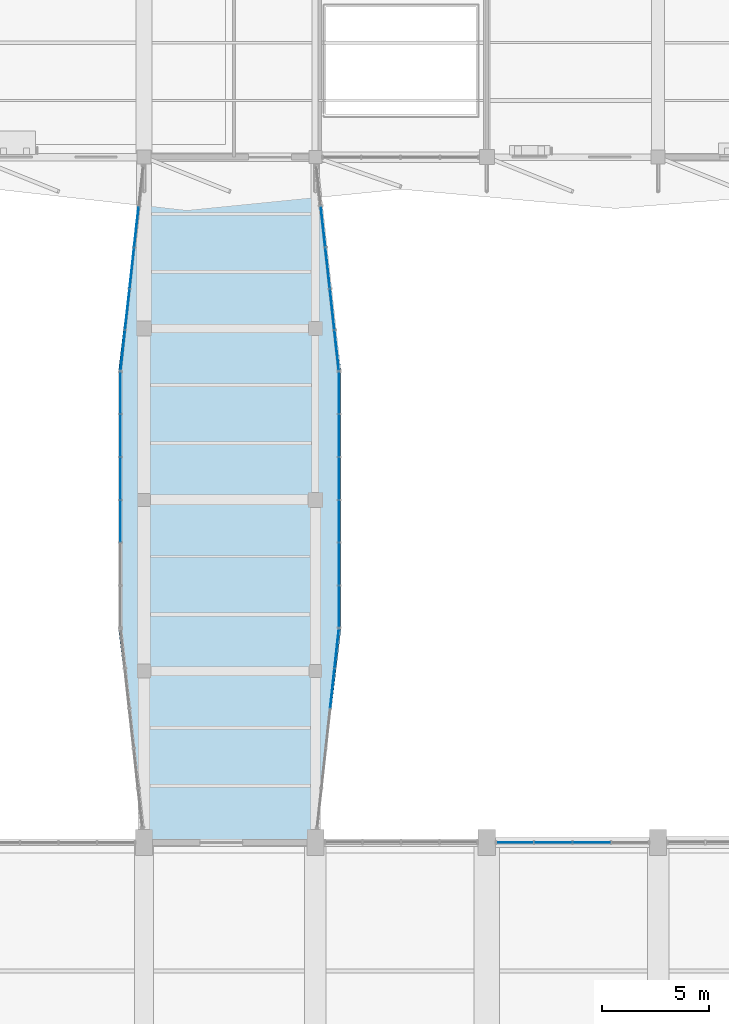
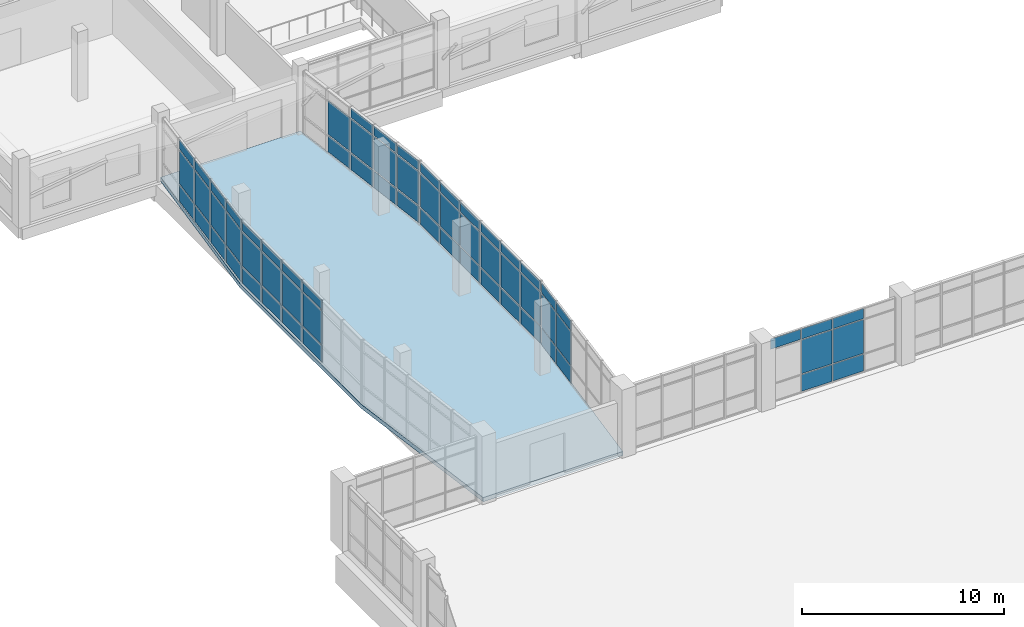
# One storey, part 55 of 84: 66 plates, 1 slab, 6 elements without a shape of their own.
"""IFC4 building model written with IfcOpenShell, lengths in metres."""

from ifc_helpers import new_model, si_unit, direction, frame, origin, origin_2d, place, context, subcontext, project, spatial, polyline, rectangle, outline, extrude, material, layer, layer_set, type_object, element, aggregate, save


model = new_model("IFC4")

# Units and contexts
model_context = context("Model", 3, precision=1e-05, world=origin(), true_north=direction((0.0, 1.0)))
body_context = subcontext(model_context, "Body", "Model", "MODEL_VIEW")
ifc_project = project(units=[si_unit("LENGTHUNIT", "METRE"), si_unit("AREAUNIT", "SQUARE_METRE"), si_unit("VOLUMEUNIT", "CUBIC_METRE"), si_unit("PLANEANGLEUNIT", "RADIAN"), si_unit("MASSUNIT", "GRAM", prefix="KILO")], contexts=[model_context])

# Site, building, storey
site_placement = place(None, origin())
site = spatial("IfcSite", under=ifc_project, at=site_placement, CompositionType="ELEMENT")
building_placement = place(site_placement, origin())
building = spatial("IfcBuilding", under=site, at=building_placement, Name="Tenunan Teduh Sports Hall", CompositionType="ELEMENT")
storey_placement = place(building_placement, frame((0.0, 0.0, 10.800048828125)))
storey = spatial("IfcBuildingStorey", under=building, at=storey_placement, Name="L02", CompositionType="ELEMENT", Elevation=10.800048828125)

# Curtain wall, plates
ifc_material_1 = material(Name="Anodised aluminium", Category="aluminium")
curtain_wall_type_1 = type_object("IfcCurtainWallType", Name="CW-BRIDGE-1", PredefinedType="NOTDEFINED", material=ifc_material_1)
curtain_wall_1_placement = place(storey_placement, origin())
curtain_wall_1 = element("IfcCurtainWall", 1, at=curtain_wall_1_placement, inside=storey, type_object=curtain_wall_type_1, Name="CW-CWM-175-L02-186", PredefinedType="NOTDEFINED")
ifc_material_2 = material(Name="Low-E laminated double glazing", Category="glass")
ifc_layer_1 = layer(ifc_material_2, 0.028076171875)
ifc_layer_set_1 = layer_set([ifc_layer_1], Name="Low-E laminated double glazing")
plate_type_1 = type_object("IfcPlateType", Name="CWP-GLZ-28", PredefinedType="CURTAIN_PANEL", material=ifc_layer_set_1)
plate_1_placement = place(storey_placement, frame((13.007568359375, 68.978759765625, 1.13232421875), z_axis=(0.0, 0.0, 1.0), x_axis=(0.109337724315, 0.994004658964, 0.0)))
plate_1 = element("IfcPlate", 2, at=plate_1_placement, type_object=plate_type_1, Name="CW-05 panel 1.2", PredefinedType="CURTAIN_PANEL", context=body_context, shape_type="SweptSolid", body=[
    extrude(rectangle(XDim=1.83935546875, YDim=0.028076171875, at=origin_2d()), origin(), (0.0, 0.0, 1.0), 2.034912109375),
])
plate_2_placement = place(storey_placement, frame((13.007568359375, 68.978759765625, 3.232421875), z_axis=(0.0, 0.0, 1.0), x_axis=(0.109337724315, 0.994004658964, 0.0)))
plate_2 = element("IfcPlate", 3, at=plate_2_placement, type_object=plate_type_1, Name="CW-05 panel 1.3", PredefinedType="CURTAIN_PANEL", context=body_context, shape_type="SweptSolid", body=[
    extrude(rectangle(XDim=1.83935546875, YDim=0.028076171875, at=origin_2d()), origin(), (0.0, 0.0, 1.0), 0.58251953125),
])
plate_3_placement = place(storey_placement, frame((13.217529296875, 70.8876953125, 1.13232421875), z_axis=(0.0, 0.0, 1.0), x_axis=(0.109337724315, 0.994004658964, 0.0)))
plate_3 = element("IfcPlate", 4, at=plate_3_placement, type_object=plate_type_1, Name="CW-05 panel 2.2", PredefinedType="CURTAIN_PANEL", context=body_context, shape_type="SweptSolid", body=[
    extrude(rectangle(XDim=1.871826171875, YDim=0.028076171875, at=origin_2d()), origin(), (0.0, 0.0, 1.0), 2.034912109375),
])
plate_4_placement = place(storey_placement, frame((13.217529296875, 70.8876953125, 3.232421875), z_axis=(0.0, 0.0, 1.0), x_axis=(0.109337724315, 0.994004658964, 0.0)))
plate_4 = element("IfcPlate", 5, at=plate_4_placement, type_object=plate_type_1, Name="CW-05 panel 2.3", PredefinedType="CURTAIN_PANEL", context=body_context, shape_type="SweptSolid", body=[
    extrude(rectangle(XDim=1.871826171875, YDim=0.028076171875, at=origin_2d()), origin(), (0.0, 0.0, 1.0), 0.58251953125),
])
plate_5_placement = place(storey_placement, frame((13.429443359375, 72.812744140625, 1.13232421875), z_axis=(0.0, 0.0, 1.0), x_axis=(0.109337724315, 0.994004658964, 0.0)))
plate_5 = element("IfcPlate", 6, at=plate_5_placement, type_object=plate_type_1, Name="CW-05 panel 3.2", PredefinedType="CURTAIN_PANEL", context=body_context, shape_type="SweptSolid", body=[
    extrude(rectangle(XDim=1.871826171875, YDim=0.028076171875, at=origin_2d()), origin(), (0.0, 0.0, 1.0), 2.034912109375),
])
plate_6_placement = place(storey_placement, frame((13.429443359375, 72.812744140625, 3.232421875), z_axis=(0.0, 0.0, 1.0), x_axis=(0.109337724315, 0.994004658964, 0.0)))
plate_6 = element("IfcPlate", 7, at=plate_6_placement, type_object=plate_type_1, Name="CW-05 panel 3.3", PredefinedType="CURTAIN_PANEL", context=body_context, shape_type="SweptSolid", body=[
    extrude(rectangle(XDim=1.871826171875, YDim=0.028076171875, at=origin_2d()), origin(), (0.0, 0.0, 1.0), 0.58251953125),
])
plate_7_placement = place(storey_placement, frame((13.64111328125, 74.738037109375, 1.13232421875), z_axis=(0.0, 0.0, 1.0), x_axis=(0.109337724315, 0.994004658964, 0.0)))
plate_7 = element("IfcPlate", 8, at=plate_7_placement, type_object=plate_type_1, Name="CW-05 panel 4.2", PredefinedType="CURTAIN_PANEL", context=body_context, shape_type="SweptSolid", body=[
    extrude(rectangle(XDim=1.871826171875, YDim=0.028076171875, at=origin_2d()), origin(), (0.0, 0.0, 1.0), 2.034912109375),
])
plate_8_placement = place(storey_placement, frame((13.64111328125, 74.738037109375, 3.232421875), z_axis=(0.0, 0.0, 1.0), x_axis=(0.109337724315, 0.994004658964, 0.0)))
plate_8 = element("IfcPlate", 9, at=plate_8_placement, type_object=plate_type_1, Name="CW-05 panel 4.3", PredefinedType="CURTAIN_PANEL", context=body_context, shape_type="SweptSolid", body=[
    extrude(rectangle(XDim=1.871826171875, YDim=0.028076171875, at=origin_2d()), origin(), (0.0, 0.0, 1.0), 0.58251953125),
])

curtain_wall_2_placement = place(storey_placement, origin())
curtain_wall_2 = element("IfcCurtainWall", 10, at=curtain_wall_2_placement, inside=storey, type_object=curtain_wall_type_1, Name="CW-CWM-200-L02-188", PredefinedType="NOTDEFINED")
plate_9_placement = place(storey_placement, frame((23.10009765625, 57.017578125, 1.134765625), z_axis=(0.0, 0.0, 1.0), x_axis=(0.0, 1.0, 0.0)))
plate_9 = element("IfcPlate", 11, at=plate_9_placement, type_object=plate_type_1, Name="CW-05 panel 1.2", PredefinedType="CURTAIN_PANEL", context=body_context, shape_type="SweptSolid", body=[
    extrude(rectangle(XDim=1.89501953125, YDim=0.028076171875, at=origin_2d()), origin(), (0.0, 0.0, 1.0), 2.030029296875),
])
plate_10_placement = place(storey_placement, frame((23.10009765625, 57.017578125, 3.23486328125), z_axis=(0.0, 0.0, 1.0), x_axis=(0.0, 1.0, 0.0)))
plate_10 = element("IfcPlate", 12, at=plate_10_placement, type_object=plate_type_1, Name="CW-05 panel 1.3", PredefinedType="CURTAIN_PANEL", context=body_context, shape_type="SweptSolid", body=[
    extrude(rectangle(XDim=1.89501953125, YDim=0.028076171875, at=origin_2d()), origin(), (0.0, 0.0, 1.0), 0.574951171875),
])
plate_11_placement = place(storey_placement, frame((23.10009765625, 59.0, 1.134765625), z_axis=(0.0, 0.0, 1.0), x_axis=(0.0, 1.0, 0.0)))
plate_11 = element("IfcPlate", 13, at=plate_11_placement, type_object=plate_type_1, Name="CW-05 panel 2.2", PredefinedType="CURTAIN_PANEL", context=body_context, shape_type="SweptSolid", body=[
    extrude(rectangle(XDim=1.929931640625, YDim=0.028076171875, at=origin_2d()), origin(), (0.0, 0.0, 1.0), 2.030029296875),
])
plate_12_placement = place(storey_placement, frame((23.10009765625, 59.0, 3.23486328125), z_axis=(0.0, 0.0, 1.0), x_axis=(0.0, 1.0, 0.0)))
plate_12 = element("IfcPlate", 14, at=plate_12_placement, type_object=plate_type_1, Name="CW-05 panel 2.3", PredefinedType="CURTAIN_PANEL", context=body_context, shape_type="SweptSolid", body=[
    extrude(rectangle(XDim=1.929931640625, YDim=0.028076171875, at=origin_2d()), origin(), (0.0, 0.0, 1.0), 0.574951171875),
])
plate_13_placement = place(storey_placement, frame((23.10009765625, 61.0, 1.134765625), z_axis=(0.0, 0.0, 1.0), x_axis=(0.0, 1.0, 0.0)))
plate_13 = element("IfcPlate", 15, at=plate_13_placement, type_object=plate_type_1, Name="CW-05 panel 3.2", PredefinedType="CURTAIN_PANEL", context=body_context, shape_type="SweptSolid", body=[
    extrude(rectangle(XDim=1.929931640625, YDim=0.028076171875, at=origin_2d()), origin(), (0.0, 0.0, 1.0), 2.030029296875),
])
plate_14_placement = place(storey_placement, frame((23.10009765625, 61.0, 3.23486328125), z_axis=(0.0, 0.0, 1.0), x_axis=(0.0, 1.0, 0.0)))
plate_14 = element("IfcPlate", 16, at=plate_14_placement, type_object=plate_type_1, Name="CW-05 panel 3.3", PredefinedType="CURTAIN_PANEL", context=body_context, shape_type="SweptSolid", body=[
    extrude(rectangle(XDim=1.929931640625, YDim=0.028076171875, at=origin_2d()), origin(), (0.0, 0.0, 1.0), 0.574951171875),
])
plate_15_placement = place(storey_placement, frame((23.10009765625, 63.0, 1.134765625), z_axis=(0.0, 0.0, 1.0), x_axis=(0.0, 1.0, 0.0)))
plate_15 = element("IfcPlate", 17, at=plate_15_placement, type_object=plate_type_1, Name="CW-05 panel 4.2", PredefinedType="CURTAIN_PANEL", context=body_context, shape_type="SweptSolid", body=[
    extrude(rectangle(XDim=1.929931640625, YDim=0.028076171875, at=origin_2d()), origin(), (0.0, 0.0, 1.0), 2.030029296875),
])
plate_16_placement = place(storey_placement, frame((23.10009765625, 63.0, 3.23486328125), z_axis=(0.0, 0.0, 1.0), x_axis=(0.0, 1.0, 0.0)))
plate_16 = element("IfcPlate", 18, at=plate_16_placement, type_object=plate_type_1, Name="CW-05 panel 4.3", PredefinedType="CURTAIN_PANEL", context=body_context, shape_type="SweptSolid", body=[
    extrude(rectangle(XDim=1.929931640625, YDim=0.028076171875, at=origin_2d()), origin(), (0.0, 0.0, 1.0), 0.574951171875),
])
plate_17_placement = place(storey_placement, frame((23.10009765625, 65.0, 1.134765625), z_axis=(0.0, 0.0, 1.0), x_axis=(0.0, 1.0, 0.0)))
plate_17 = element("IfcPlate", 19, at=plate_17_placement, type_object=plate_type_1, Name="CW-05 panel 5.2", PredefinedType="CURTAIN_PANEL", context=body_context, shape_type="SweptSolid", body=[
    extrude(rectangle(XDim=1.929931640625, YDim=0.028076171875, at=origin_2d()), origin(), (0.0, 0.0, 1.0), 2.030029296875),
])
plate_18_placement = place(storey_placement, frame((23.10009765625, 65.0, 3.23486328125), z_axis=(0.0, 0.0, 1.0), x_axis=(0.0, 1.0, 0.0)))
plate_18 = element("IfcPlate", 20, at=plate_18_placement, type_object=plate_type_1, Name="CW-05 panel 5.3", PredefinedType="CURTAIN_PANEL", context=body_context, shape_type="SweptSolid", body=[
    extrude(rectangle(XDim=1.929931640625, YDim=0.028076171875, at=origin_2d()), origin(), (0.0, 0.0, 1.0), 0.574951171875),
])
plate_19_placement = place(storey_placement, frame((23.10009765625, 66.982421875, 1.134765625), z_axis=(0.0, 0.0, 1.0), x_axis=(0.0, 1.0, 0.0)))
plate_19 = element("IfcPlate", 21, at=plate_19_placement, type_object=plate_type_1, Name="CW-05 panel 6.2", PredefinedType="CURTAIN_PANEL", context=body_context, shape_type="SweptSolid", body=[
    extrude(rectangle(XDim=1.89501953125, YDim=0.028076171875, at=origin_2d()), origin(), (0.0, 0.0, 1.0), 2.030029296875),
])
plate_20_placement = place(storey_placement, frame((23.10009765625, 66.982421875, 3.23486328125), z_axis=(0.0, 0.0, 1.0), x_axis=(0.0, 1.0, 0.0)))
plate_20 = element("IfcPlate", 22, at=plate_20_placement, type_object=plate_type_1, Name="CW-05 panel 6.3", PredefinedType="CURTAIN_PANEL", context=body_context, shape_type="SweptSolid", body=[
    extrude(rectangle(XDim=1.89501953125, YDim=0.028076171875, at=origin_2d()), origin(), (0.0, 0.0, 1.0), 0.574951171875),
])

ifc_material_3 = material(Name="Anodised aluminium", Category="aluminium")
curtain_wall_type_2 = type_object("IfcCurtainWallType", Name="CW-UNIT-2", PredefinedType="NOTDEFINED", material=ifc_material_3)
curtain_wall_3_placement = place(storey_placement, origin())
curtain_wall_3 = element("IfcCurtainWall", 23, at=curtain_wall_3_placement, inside=storey, type_object=curtain_wall_type_2, Name="CW-CWM-150-L02-063", PredefinedType="NOTDEFINED")
ifc_material_4 = material(Name="Solar-control laminated glazing", Category="glass")
ifc_layer_2 = layer(ifc_material_4, 0.031982421875)
ifc_layer_set_2 = layer_set([ifc_layer_2], Name="Solar-control laminated glazing")
plate_type_2 = type_object("IfcPlateType", Name="CWP-GLZ-32", PredefinedType="CURTAIN_PANEL", material=ifc_layer_set_2)
plate_21_placement = place(storey_placement, frame((31.31494140625, 46.0, 3.22998046875), z_axis=(0.0, 0.0, 1.0), x_axis=(1.0, 0.0, 0.0)))
plate_21 = element("IfcPlate", 24, at=plate_21_placement, type_object=plate_type_2, Name="CW-02 panel 1.3", PredefinedType="CURTAIN_PANEL", context=body_context, shape_type="SweptSolid", body=[
    extrude(rectangle(XDim=1.7099609375, YDim=0.031982421875, at=origin_2d()), origin(), (0.0, 0.0, 1.0), 0.610107421875),
])
plate_22_placement = place(storey_placement, frame((33.10009765625, 46.0, 1.1298828125), z_axis=(0.0, 0.0, 1.0), x_axis=(1.0, 0.0, 0.0)))
plate_22 = element("IfcPlate", 25, at=plate_22_placement, type_object=plate_type_2, Name="CW-02 panel 2.2", PredefinedType="CURTAIN_PANEL", context=body_context, shape_type="SweptSolid", body=[
    extrude(rectangle(XDim=1.739990234375, YDim=0.031982421875, at=origin_2d()), origin(), (0.0, 0.0, 1.0), 2.0400390625),
])
plate_23_placement = place(storey_placement, frame((33.10009765625, 46.0, 3.22998046875), z_axis=(0.0, 0.0, 1.0), x_axis=(1.0, 0.0, 0.0)))
plate_23 = element("IfcPlate", 26, at=plate_23_placement, type_object=plate_type_2, Name="CW-02 panel 2.3", PredefinedType="CURTAIN_PANEL", context=body_context, shape_type="SweptSolid", body=[
    extrude(rectangle(XDim=1.739990234375, YDim=0.031982421875, at=origin_2d()), origin(), (0.0, 0.0, 1.0), 0.610107421875),
])
plate_24_placement = place(storey_placement, frame((34.89990234375, 46.0, 1.1298828125), z_axis=(0.0, 0.0, 1.0), x_axis=(1.0, 0.0, 0.0)))
plate_24 = element("IfcPlate", 27, at=plate_24_placement, type_object=plate_type_2, Name="CW-02 panel 3.2", PredefinedType="CURTAIN_PANEL", context=body_context, shape_type="SweptSolid", body=[
    extrude(rectangle(XDim=1.739990234375, YDim=0.031982421875, at=origin_2d()), origin(), (0.0, 0.0, 1.0), 2.0400390625),
])
plate_25_placement = place(storey_placement, frame((34.89990234375, 46.0, 3.22998046875), z_axis=(0.0, 0.0, 1.0), x_axis=(1.0, 0.0, 0.0)))
plate_25 = element("IfcPlate", 28, at=plate_25_placement, type_object=plate_type_2, Name="CW-02 panel 3.3", PredefinedType="CURTAIN_PANEL", context=body_context, shape_type="SweptSolid", body=[
    extrude(rectangle(XDim=1.739990234375, YDim=0.031982421875, at=origin_2d()), origin(), (0.0, 0.0, 1.0), 0.610107421875),
])

curtain_wall_4_placement = place(storey_placement, origin())
curtain_wall_4 = element("IfcCurtainWall", 29, at=curtain_wall_4_placement, inside=storey, type_object=curtain_wall_type_1, Name="CW-CWM-220-L02-185", PredefinedType="NOTDEFINED")
plate_26_placement = place(storey_placement, frame((12.89990234375, 61.0, 1.137451171875), z_axis=(0.0, 0.0, 1.0), x_axis=(0.0, 1.0, 0.0)))
plate_26 = element("IfcPlate", 30, at=plate_26_placement, type_object=plate_type_2, Name="CW-05 panel 3.2", PredefinedType="CURTAIN_PANEL", context=body_context, shape_type="SweptSolid", body=[
    extrude(rectangle(XDim=1.925048828125, YDim=0.031982421875, at=origin_2d()), origin(), (0.0, 0.0, 1.0), 2.02490234375),
])
plate_27_placement = place(storey_placement, frame((12.89990234375, 61.0, 3.237548828125), z_axis=(0.0, 0.0, 1.0), x_axis=(0.0, 1.0, 0.0)))
plate_27 = element("IfcPlate", 31, at=plate_27_placement, type_object=plate_type_2, Name="CW-05 panel 3.3", PredefinedType="CURTAIN_PANEL", context=body_context, shape_type="SweptSolid", body=[
    extrude(rectangle(XDim=1.925048828125, YDim=0.031982421875, at=origin_2d()), origin(), (0.0, 0.0, 1.0), 0.5673828125),
])
plate_28_placement = place(storey_placement, frame((12.89990234375, 63.0, 1.137451171875), z_axis=(0.0, 0.0, 1.0), x_axis=(0.0, 1.0, 0.0)))
plate_28 = element("IfcPlate", 32, at=plate_28_placement, type_object=plate_type_2, Name="CW-05 panel 4.2", PredefinedType="CURTAIN_PANEL", context=body_context, shape_type="SweptSolid", body=[
    extrude(rectangle(XDim=1.925048828125, YDim=0.031982421875, at=origin_2d()), origin(), (0.0, 0.0, 1.0), 2.02490234375),
])
plate_29_placement = place(storey_placement, frame((12.89990234375, 63.0, 3.237548828125), z_axis=(0.0, 0.0, 1.0), x_axis=(0.0, 1.0, 0.0)))
plate_29 = element("IfcPlate", 33, at=plate_29_placement, type_object=plate_type_2, Name="CW-05 panel 4.3", PredefinedType="CURTAIN_PANEL", context=body_context, shape_type="SweptSolid", body=[
    extrude(rectangle(XDim=1.925048828125, YDim=0.031982421875, at=origin_2d()), origin(), (0.0, 0.0, 1.0), 0.5673828125),
])
plate_30_placement = place(storey_placement, frame((12.89990234375, 65.0, 1.137451171875), z_axis=(0.0, 0.0, 1.0), x_axis=(0.0, 1.0, 0.0)))
plate_30 = element("IfcPlate", 34, at=plate_30_placement, type_object=plate_type_2, Name="CW-05 panel 5.2", PredefinedType="CURTAIN_PANEL", context=body_context, shape_type="SweptSolid", body=[
    extrude(rectangle(XDim=1.925048828125, YDim=0.031982421875, at=origin_2d()), origin(), (0.0, 0.0, 1.0), 2.02490234375),
])
plate_31_placement = place(storey_placement, frame((12.89990234375, 65.0, 3.237548828125), z_axis=(0.0, 0.0, 1.0), x_axis=(0.0, 1.0, 0.0)))
plate_31 = element("IfcPlate", 35, at=plate_31_placement, type_object=plate_type_2, Name="CW-05 panel 5.3", PredefinedType="CURTAIN_PANEL", context=body_context, shape_type="SweptSolid", body=[
    extrude(rectangle(XDim=1.925048828125, YDim=0.031982421875, at=origin_2d()), origin(), (0.0, 0.0, 1.0), 0.5673828125),
])
plate_32_placement = place(storey_placement, frame((12.89990234375, 66.981201171875, 1.137451171875), z_axis=(0.0, 0.0, 1.0), x_axis=(0.0, 1.0, 0.0)))
plate_32 = element("IfcPlate", 36, at=plate_32_placement, type_object=plate_type_2, Name="CW-05 panel 6.2", PredefinedType="CURTAIN_PANEL", context=body_context, shape_type="SweptSolid", body=[
    extrude(rectangle(XDim=1.887451171875, YDim=0.031982421875, at=origin_2d()), origin(), (0.0, 0.0, 1.0), 2.02490234375),
])
plate_33_placement = place(storey_placement, frame((12.89990234375, 66.981201171875, 3.237548828125), z_axis=(0.0, 0.0, 1.0), x_axis=(0.0, 1.0, 0.0)))
plate_33 = element("IfcPlate", 37, at=plate_33_placement, type_object=plate_type_2, Name="CW-05 panel 6.3", PredefinedType="CURTAIN_PANEL", context=body_context, shape_type="SweptSolid", body=[
    extrude(rectangle(XDim=1.887451171875, YDim=0.031982421875, at=origin_2d()), origin(), (0.0, 0.0, 1.0), 0.5673828125),
])

curtain_wall_5_placement = place(storey_placement, origin())
curtain_wall_5 = element("IfcCurtainWall", 38, at=curtain_wall_5_placement, inside=storey, type_object=curtain_wall_type_1, Name="CW-CWM-150-L02-187", PredefinedType="NOTDEFINED")
plate_34_placement = place(storey_placement, frame((22.7919921875, 53.200439453125, 1.1298828125), z_axis=(0.0, 0.0, 1.0), x_axis=(0.109339531958, 0.994004460126, 0.0)))
plate_34 = element("IfcPlate", 39, at=plate_34_placement, type_object=plate_type_2, Name="CW-05 panel 4.2", PredefinedType="CURTAIN_PANEL", context=body_context, shape_type="SweptSolid", body=[
    extrude(rectangle(XDim=1.817626953125, YDim=0.031982421875, at=origin_2d()), origin(), (0.0, 0.0, 1.0), 2.0400390625),
])
plate_35_placement = place(storey_placement, frame((22.7919921875, 53.200439453125, 3.22998046875), z_axis=(0.0, 0.0, 1.0), x_axis=(0.109339531958, 0.994004460126, 0.0)))
plate_35 = element("IfcPlate", 40, at=plate_35_placement, type_object=plate_type_2, Name="CW-05 panel 4.3", PredefinedType="CURTAIN_PANEL", context=body_context, shape_type="SweptSolid", body=[
    extrude(rectangle(XDim=1.817626953125, YDim=0.031982421875, at=origin_2d()), origin(), (0.0, 0.0, 1.0), 0.590087890625),
])
plate_36_placement = place(storey_placement, frame((22.99560546875, 55.052001953125, 1.1298828125), z_axis=(0.0, 0.0, 1.0), x_axis=(0.109339531958, 0.994004460126, 0.0)))
plate_36 = element("IfcPlate", 41, at=plate_36_placement, type_object=plate_type_2, Name="CW-05 panel 5.2", PredefinedType="CURTAIN_PANEL", context=body_context, shape_type="SweptSolid", body=[
    extrude(rectangle(XDim=1.78759765625, YDim=0.031982421875, at=origin_2d()), origin(), (0.0, 0.0, 1.0), 2.0400390625),
])
plate_37_placement = place(storey_placement, frame((22.99560546875, 55.052001953125, 3.22998046875), z_axis=(0.0, 0.0, 1.0), x_axis=(0.109339531958, 0.994004460126, 0.0)))
plate_37 = element("IfcPlate", 42, at=plate_37_placement, type_object=plate_type_2, Name="CW-05 panel 5.3", PredefinedType="CURTAIN_PANEL", context=body_context, shape_type="SweptSolid", body=[
    extrude(rectangle(XDim=1.78759765625, YDim=0.031982421875, at=origin_2d()), origin(), (0.0, 0.0, 1.0), 0.590087890625),
])

curtain_wall_6_placement = place(storey_placement, origin())
curtain_wall_6 = element("IfcCurtainWall", 43, at=curtain_wall_6_placement, inside=storey, type_object=curtain_wall_type_1, Name="CW-CWM-220-L02-189", PredefinedType="NOTDEFINED")
plate_38_placement = place(storey_placement, frame((22.99169921875, 68.984130859375, 1.137451171875), z_axis=(0.0, 0.0, 1.0), x_axis=(-0.109340987788, 0.994004299985, 0.0)))
plate_38 = element("IfcPlate", 44, at=plate_38_placement, type_object=plate_type_2, Name="CW-05 panel 1.2", PredefinedType="CURTAIN_PANEL", context=body_context, shape_type="SweptSolid", body=[
    extrude(rectangle(XDim=1.830078125, YDim=0.031982421875, at=origin_2d()), origin(), (0.0, 0.0, 1.0), 2.02490234375),
])
plate_39_placement = place(storey_placement, frame((22.99169921875, 68.984130859375, 3.237548828125), z_axis=(0.0, 0.0, 1.0), x_axis=(-0.109340987788, 0.994004299985, 0.0)))
plate_39 = element("IfcPlate", 45, at=plate_39_placement, type_object=plate_type_2, Name="CW-05 panel 1.3", PredefinedType="CURTAIN_PANEL", context=body_context, shape_type="SweptSolid", body=[
    extrude(rectangle(XDim=1.830078125, YDim=0.031982421875, at=origin_2d()), origin(), (0.0, 0.0, 1.0), 0.5673828125),
])
plate_40_placement = place(storey_placement, frame((22.781494140625, 70.896240234375, 1.137451171875), z_axis=(0.0, 0.0, 1.0), x_axis=(-0.109340987788, 0.994004299985, 0.0)))
plate_40 = element("IfcPlate", 46, at=plate_40_placement, type_object=plate_type_2, Name="CW-05 panel 2.2", PredefinedType="CURTAIN_PANEL", context=body_context, shape_type="SweptSolid", body=[
    extrude(rectangle(XDim=1.867431640625, YDim=0.031982421875, at=origin_2d()), origin(), (0.0, 0.0, 1.0), 2.02490234375),
])
plate_41_placement = place(storey_placement, frame((22.781494140625, 70.896240234375, 3.237548828125), z_axis=(0.0, 0.0, 1.0), x_axis=(-0.109340987788, 0.994004299985, 0.0)))
plate_41 = element("IfcPlate", 47, at=plate_41_placement, type_object=plate_type_2, Name="CW-05 panel 2.3", PredefinedType="CURTAIN_PANEL", context=body_context, shape_type="SweptSolid", body=[
    extrude(rectangle(XDim=1.867431640625, YDim=0.031982421875, at=origin_2d()), origin(), (0.0, 0.0, 1.0), 0.5673828125),
])
plate_42_placement = place(storey_placement, frame((22.569091796875, 72.8271484375, 1.137451171875), z_axis=(0.0, 0.0, 1.0), x_axis=(-0.109340987788, 0.994004299985, 0.0)))
plate_42 = element("IfcPlate", 48, at=plate_42_placement, type_object=plate_type_2, Name="CW-05 panel 3.2", PredefinedType="CURTAIN_PANEL", context=body_context, shape_type="SweptSolid", body=[
    extrude(rectangle(XDim=1.867431640625, YDim=0.031982421875, at=origin_2d()), origin(), (0.0, 0.0, 1.0), 2.02490234375),
])
plate_43_placement = place(storey_placement, frame((22.569091796875, 72.8271484375, 3.237548828125), z_axis=(0.0, 0.0, 1.0), x_axis=(-0.109340987788, 0.994004299985, 0.0)))
plate_43 = element("IfcPlate", 49, at=plate_43_placement, type_object=plate_type_2, Name="CW-05 panel 3.3", PredefinedType="CURTAIN_PANEL", context=body_context, shape_type="SweptSolid", body=[
    extrude(rectangle(XDim=1.867431640625, YDim=0.031982421875, at=origin_2d()), origin(), (0.0, 0.0, 1.0), 0.5673828125),
])
plate_44_placement = place(storey_placement, frame((22.356689453125, 74.758056640625, 1.137451171875), z_axis=(0.0, 0.0, 1.0), x_axis=(-0.109340987788, 0.994004299985, 0.0)))
plate_44 = element("IfcPlate", 50, at=plate_44_placement, type_object=plate_type_2, Name="CW-05 panel 4.2", PredefinedType="CURTAIN_PANEL", context=body_context, shape_type="SweptSolid", body=[
    extrude(rectangle(XDim=1.867431640625, YDim=0.031982421875, at=origin_2d()), origin(), (0.0, 0.0, 1.0), 2.02490234375),
])

# Plate
ifc_material_5 = material(Name="Insulated aluminium spandrel panel", Category="aluminium")
ifc_layer_3 = layer(ifc_material_5, 0.044921875)
ifc_layer_set_3 = layer_set([ifc_layer_3], Name="Insulated aluminium spandrel panel")
plate_type_3 = type_object("IfcPlateType", Name="CWP-SPN-45", PredefinedType="CURTAIN_PANEL", material=ifc_layer_set_3)
plate_45_placement = place(storey_placement, frame((33.10009765625, 46.0, 0.06005859375), z_axis=(0.0, 0.0, 1.0), x_axis=(1.0, 0.0, 0.0)))
plate_45 = element("IfcPlate", 51, at=plate_45_placement, type_object=plate_type_3, Name="CW-02 panel 2.1", PredefinedType="CURTAIN_PANEL", context=body_context, shape_type="SweptSolid", body=[
    extrude(rectangle(XDim=1.739990234375, YDim=0.031982421875, at=origin_2d()), origin(), (0.0, 0.0, 1.0), 1.010009765625),
])

plate_46_placement = place(storey_placement, frame((34.89990234375, 46.0, 0.06005859375), z_axis=(0.0, 0.0, 1.0), x_axis=(1.0, 0.0, 0.0)))
plate_46 = element("IfcPlate", 52, at=plate_46_placement, type_object=plate_type_3, Name="CW-02 panel 3.1", PredefinedType="CURTAIN_PANEL", context=body_context, shape_type="SweptSolid", body=[
    extrude(rectangle(XDim=1.739990234375, YDim=0.031982421875, at=origin_2d()), origin(), (0.0, 0.0, 1.0), 1.010009765625),
])

aggregate(curtain_wall_3, [plate_21, plate_45, plate_22, plate_23, plate_46, plate_24, plate_25])

plate_47_placement = place(storey_placement, frame((12.89990234375, 61.0, 0.07470703125), z_axis=(0.0, 0.0, 1.0), x_axis=(0.0, 1.0, 0.0)))
plate_47 = element("IfcPlate", 53, at=plate_47_placement, type_object=plate_type_3, Name="CW-05 panel 3.1", PredefinedType="CURTAIN_PANEL", context=body_context, shape_type="SweptSolid", body=[
    extrude(rectangle(XDim=1.925048828125, YDim=0.031982421875, at=origin_2d()), origin(), (0.0, 0.0, 1.0), 0.987548828125),
])

plate_48_placement = place(storey_placement, frame((12.89990234375, 63.0, 0.07470703125), z_axis=(0.0, 0.0, 1.0), x_axis=(0.0, 1.0, 0.0)))
plate_48 = element("IfcPlate", 54, at=plate_48_placement, type_object=plate_type_3, Name="CW-05 panel 4.1", PredefinedType="CURTAIN_PANEL", context=body_context, shape_type="SweptSolid", body=[
    extrude(rectangle(XDim=1.925048828125, YDim=0.031982421875, at=origin_2d()), origin(), (0.0, 0.0, 1.0), 0.987548828125),
])

plate_49_placement = place(storey_placement, frame((12.89990234375, 65.0, 0.07470703125), z_axis=(0.0, 0.0, 1.0), x_axis=(0.0, 1.0, 0.0)))
plate_49 = element("IfcPlate", 55, at=plate_49_placement, type_object=plate_type_3, Name="CW-05 panel 5.1", PredefinedType="CURTAIN_PANEL", context=body_context, shape_type="SweptSolid", body=[
    extrude(rectangle(XDim=1.925048828125, YDim=0.031982421875, at=origin_2d()), origin(), (0.0, 0.0, 1.0), 0.987548828125),
])

plate_50_placement = place(storey_placement, frame((12.89990234375, 66.981201171875, 0.07470703125), z_axis=(0.0, 0.0, 1.0), x_axis=(0.0, 1.0, 0.0)))
plate_50 = element("IfcPlate", 56, at=plate_50_placement, type_object=plate_type_3, Name="CW-05 panel 6.1", PredefinedType="CURTAIN_PANEL", context=body_context, shape_type="SweptSolid", body=[
    extrude(rectangle(XDim=1.887451171875, YDim=0.031982421875, at=origin_2d()), origin(), (0.0, 0.0, 1.0), 0.987548828125),
])

aggregate(curtain_wall_4, [plate_47, plate_26, plate_27, plate_48, plate_28, plate_29, plate_49, plate_30, plate_31, plate_50, plate_32, plate_33])

plate_51_placement = place(storey_placement, frame((13.007568359375, 68.978759765625, 0.06494140625), z_axis=(0.0, 0.0, 1.0), x_axis=(0.109337724315, 0.994004658964, 0.0)))
plate_51 = element("IfcPlate", 57, at=plate_51_placement, type_object=plate_type_3, Name="CW-05 panel 1.1", PredefinedType="CURTAIN_PANEL", context=body_context, shape_type="SweptSolid", body=[
    extrude(rectangle(XDim=1.83935546875, YDim=0.028076171875, at=origin_2d()), origin(), (0.0, 0.0, 1.0), 1.00244140625),
])

plate_52_placement = place(storey_placement, frame((13.217529296875, 70.8876953125, 0.06494140625), z_axis=(0.0, 0.0, 1.0), x_axis=(0.109337724315, 0.994004658964, 0.0)))
plate_52 = element("IfcPlate", 58, at=plate_52_placement, type_object=plate_type_3, Name="CW-05 panel 2.1", PredefinedType="CURTAIN_PANEL", context=body_context, shape_type="SweptSolid", body=[
    extrude(rectangle(XDim=1.871826171875, YDim=0.028076171875, at=origin_2d()), origin(), (0.0, 0.0, 1.0), 1.00244140625),
])

plate_53_placement = place(storey_placement, frame((13.429443359375, 72.812744140625, 0.06494140625), z_axis=(0.0, 0.0, 1.0), x_axis=(0.109337724315, 0.994004658964, 0.0)))
plate_53 = element("IfcPlate", 59, at=plate_53_placement, type_object=plate_type_3, Name="CW-05 panel 3.1", PredefinedType="CURTAIN_PANEL", context=body_context, shape_type="SweptSolid", body=[
    extrude(rectangle(XDim=1.871826171875, YDim=0.028076171875, at=origin_2d()), origin(), (0.0, 0.0, 1.0), 1.00244140625),
])

plate_54_placement = place(storey_placement, frame((13.64111328125, 74.738037109375, 0.06494140625), z_axis=(0.0, 0.0, 1.0), x_axis=(0.109337724315, 0.994004658964, 0.0)))
plate_54 = element("IfcPlate", 60, at=plate_54_placement, type_object=plate_type_3, Name="CW-05 panel 4.1", PredefinedType="CURTAIN_PANEL", context=body_context, shape_type="SweptSolid", body=[
    extrude(rectangle(XDim=1.871826171875, YDim=0.028076171875, at=origin_2d()), origin(), (0.0, 0.0, 1.0), 1.00244140625),
])

aggregate(curtain_wall_1, [plate_51, plate_1, plate_2, plate_52, plate_3, plate_4, plate_53, plate_5, plate_6, plate_54, plate_7, plate_8])

plate_55_placement = place(storey_placement, frame((22.7919921875, 53.200439453125, 0.06005859375), z_axis=(0.0, 0.0, 1.0), x_axis=(0.109339531958, 0.994004460126, 0.0)))
plate_55 = element("IfcPlate", 61, at=plate_55_placement, type_object=plate_type_3, Name="CW-05 panel 4.1", PredefinedType="CURTAIN_PANEL", context=body_context, shape_type="SweptSolid", body=[
    extrude(rectangle(XDim=1.817626953125, YDim=0.031982421875, at=origin_2d()), origin(), (0.0, 0.0, 1.0), 1.010009765625),
])

plate_56_placement = place(storey_placement, frame((22.99560546875, 55.052001953125, 0.06005859375), z_axis=(0.0, 0.0, 1.0), x_axis=(0.109339531958, 0.994004460126, 0.0)))
plate_56 = element("IfcPlate", 62, at=plate_56_placement, type_object=plate_type_3, Name="CW-05 panel 5.1", PredefinedType="CURTAIN_PANEL", context=body_context, shape_type="SweptSolid", body=[
    extrude(rectangle(XDim=1.78759765625, YDim=0.031982421875, at=origin_2d()), origin(), (0.0, 0.0, 1.0), 1.010009765625),
])

aggregate(curtain_wall_5, [plate_55, plate_34, plate_35, plate_56, plate_36, plate_37])

plate_57_placement = place(storey_placement, frame((23.10009765625, 57.017578125, 0.06982421875), z_axis=(0.0, 0.0, 1.0), x_axis=(0.0, 1.0, 0.0)))
plate_57 = element("IfcPlate", 63, at=plate_57_placement, type_object=plate_type_3, Name="CW-05 panel 1.1", PredefinedType="CURTAIN_PANEL", context=body_context, shape_type="SweptSolid", body=[
    extrude(rectangle(XDim=1.89501953125, YDim=0.028076171875, at=origin_2d()), origin(), (0.0, 0.0, 1.0), 0.9951171875),
])

plate_58_placement = place(storey_placement, frame((23.10009765625, 59.0, 0.06982421875), z_axis=(0.0, 0.0, 1.0), x_axis=(0.0, 1.0, 0.0)))
plate_58 = element("IfcPlate", 64, at=plate_58_placement, type_object=plate_type_3, Name="CW-05 panel 2.1", PredefinedType="CURTAIN_PANEL", context=body_context, shape_type="SweptSolid", body=[
    extrude(rectangle(XDim=1.929931640625, YDim=0.028076171875, at=origin_2d()), origin(), (0.0, 0.0, 1.0), 0.9951171875),
])

plate_59_placement = place(storey_placement, frame((23.10009765625, 61.0, 0.06982421875), z_axis=(0.0, 0.0, 1.0), x_axis=(0.0, 1.0, 0.0)))
plate_59 = element("IfcPlate", 65, at=plate_59_placement, type_object=plate_type_3, Name="CW-05 panel 3.1", PredefinedType="CURTAIN_PANEL", context=body_context, shape_type="SweptSolid", body=[
    extrude(rectangle(XDim=1.929931640625, YDim=0.028076171875, at=origin_2d()), origin(), (0.0, 0.0, 1.0), 0.9951171875),
])

plate_60_placement = place(storey_placement, frame((23.10009765625, 63.0, 0.06982421875), z_axis=(0.0, 0.0, 1.0), x_axis=(0.0, 1.0, 0.0)))
plate_60 = element("IfcPlate", 66, at=plate_60_placement, type_object=plate_type_3, Name="CW-05 panel 4.1", PredefinedType="CURTAIN_PANEL", context=body_context, shape_type="SweptSolid", body=[
    extrude(rectangle(XDim=1.929931640625, YDim=0.028076171875, at=origin_2d()), origin(), (0.0, 0.0, 1.0), 0.9951171875),
])

plate_61_placement = place(storey_placement, frame((23.10009765625, 65.0, 0.06982421875), z_axis=(0.0, 0.0, 1.0), x_axis=(0.0, 1.0, 0.0)))
plate_61 = element("IfcPlate", 67, at=plate_61_placement, type_object=plate_type_3, Name="CW-05 panel 5.1", PredefinedType="CURTAIN_PANEL", context=body_context, shape_type="SweptSolid", body=[
    extrude(rectangle(XDim=1.929931640625, YDim=0.028076171875, at=origin_2d()), origin(), (0.0, 0.0, 1.0), 0.9951171875),
])

plate_62_placement = place(storey_placement, frame((23.10009765625, 66.982421875, 0.06982421875), z_axis=(0.0, 0.0, 1.0), x_axis=(0.0, 1.0, 0.0)))
plate_62 = element("IfcPlate", 68, at=plate_62_placement, type_object=plate_type_3, Name="CW-05 panel 6.1", PredefinedType="CURTAIN_PANEL", context=body_context, shape_type="SweptSolid", body=[
    extrude(rectangle(XDim=1.89501953125, YDim=0.028076171875, at=origin_2d()), origin(), (0.0, 0.0, 1.0), 0.9951171875),
])

aggregate(curtain_wall_2, [plate_57, plate_9, plate_10, plate_58, plate_11, plate_12, plate_59, plate_13, plate_14, plate_60, plate_15, plate_16, plate_61, plate_17, plate_18, plate_62, plate_19, plate_20])

plate_63_placement = place(storey_placement, frame((22.99169921875, 68.984130859375, 0.07470703125), z_axis=(0.0, 0.0, 1.0), x_axis=(-0.109340987788, 0.994004299985, 0.0)))
plate_63 = element("IfcPlate", 69, at=plate_63_placement, type_object=plate_type_3, Name="CW-05 panel 1.1", PredefinedType="CURTAIN_PANEL", context=body_context, shape_type="SweptSolid", body=[
    extrude(rectangle(XDim=1.830078125, YDim=0.031982421875, at=origin_2d()), origin(), (0.0, 0.0, 1.0), 0.987548828125),
])

plate_64_placement = place(storey_placement, frame((22.781494140625, 70.896240234375, 0.07470703125), z_axis=(0.0, 0.0, 1.0), x_axis=(-0.109340987788, 0.994004299985, 0.0)))
plate_64 = element("IfcPlate", 70, at=plate_64_placement, type_object=plate_type_3, Name="CW-05 panel 2.1", PredefinedType="CURTAIN_PANEL", context=body_context, shape_type="SweptSolid", body=[
    extrude(rectangle(XDim=1.867431640625, YDim=0.031982421875, at=origin_2d()), origin(), (0.0, 0.0, 1.0), 0.987548828125),
])

plate_65_placement = place(storey_placement, frame((22.569091796875, 72.8271484375, 0.07470703125), z_axis=(0.0, 0.0, 1.0), x_axis=(-0.109340987788, 0.994004299985, 0.0)))
plate_65 = element("IfcPlate", 71, at=plate_65_placement, type_object=plate_type_3, Name="CW-05 panel 3.1", PredefinedType="CURTAIN_PANEL", context=body_context, shape_type="SweptSolid", body=[
    extrude(rectangle(XDim=1.867431640625, YDim=0.031982421875, at=origin_2d()), origin(), (0.0, 0.0, 1.0), 0.987548828125),
])

plate_66_placement = place(storey_placement, frame((22.356689453125, 74.758056640625, 0.07470703125), z_axis=(0.0, 0.0, 1.0), x_axis=(-0.109340987788, 0.994004299985, 0.0)))
plate_66 = element("IfcPlate", 72, at=plate_66_placement, type_object=plate_type_3, Name="CW-05 panel 4.1", PredefinedType="CURTAIN_PANEL", context=body_context, shape_type="SweptSolid", body=[
    extrude(rectangle(XDim=1.867431640625, YDim=0.031982421875, at=origin_2d()), origin(), (0.0, 0.0, 1.0), 0.987548828125),
])

aggregate(curtain_wall_6, [plate_63, plate_38, plate_39, plate_64, plate_40, plate_41, plate_65, plate_42, plate_43, plate_66, plate_44])

# Slab
ifc_material_6 = material(Name="Concrete C40/50", Category="concrete")
ifc_layer_4 = layer(ifc_material_6, 0.25)
ifc_layer_set_4 = layer_set([ifc_layer_4], Name="Concrete C40/50")
slab_type = type_object("IfcSlabType", Name="SLB-FLR-250", PredefinedType="FLOOR", material=ifc_layer_set_4)
slab_placement = place(storey_placement, frame((0.0, 0.0, -0.25)))
element("IfcSlab", 73, at=slab_placement, inside=storey, type_object=slab_type, Name="SL-L02-SKYBRG", PredefinedType="FLOOR", context=body_context, shape_type="SweptSolid", body=[
    extrude(outline(polyline([(14.0, 46.0), (22.0, 46.0), (23.199951171875, 56.0), (23.199951171875, 68.0), (22.0, 78.0), (14.0, 78.0), (12.800048828125, 68.0), (12.800048828125, 56.0), (14.0, 46.0)])), origin(), (0.0, 0.0, 1.0), 0.25),
])

save(model, "model.ifc")
